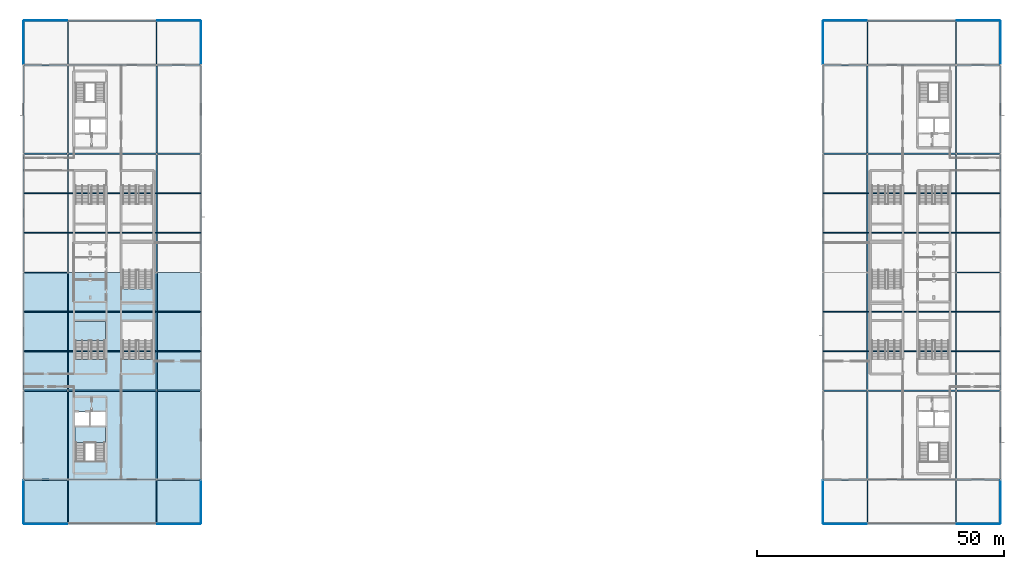
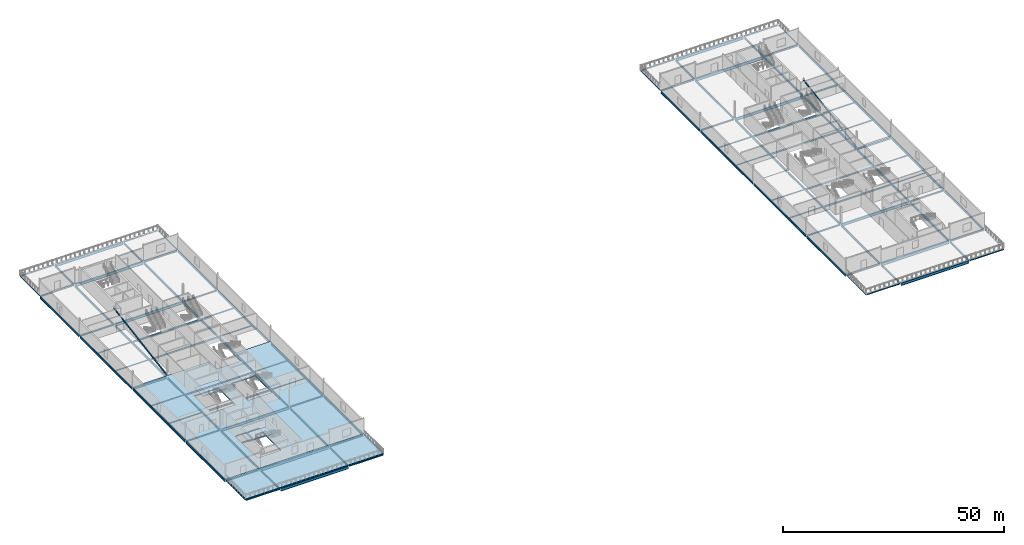
# One storey, part 9 of 28: 110 beams, 4 slabs, 2 members, 2 elements without a shape of their own.
"""IFC4 building model written with IfcOpenShell, lengths in metres."""

from ifc_helpers import new_model, si_unit, direction, frame, origin, origin_2d, place, context, subcontext, project, spatial, polyline, hollow_rectangle, i_section, outline, extrude, material, layer, layer_set, material_profile, profile_set, type_object, element, aggregate, save


model = new_model("IFC4")

# Units and contexts
model_context = context("Model", 3, precision=1e-05, world=origin(), true_north=direction((0.0, 1.0)))
body_context = subcontext(model_context, "Body", "Model", "MODEL_VIEW")
ifc_project = project(units=[si_unit("LENGTHUNIT", "METRE"), si_unit("AREAUNIT", "SQUARE_METRE"), si_unit("VOLUMEUNIT", "CUBIC_METRE"), si_unit("PLANEANGLEUNIT", "RADIAN"), si_unit("MASSUNIT", "GRAM", prefix="KILO")], contexts=[model_context])

# Site, building, storey
site_placement = place(None, origin())
site = spatial("IfcSite", under=ifc_project, at=site_placement, CompositionType="ELEMENT")
building_placement = place(site_placement, origin())
building = spatial("IfcBuilding", under=site, at=building_placement, Name="Kisiwana Market Hall", CompositionType="ELEMENT")
storey_placement = place(building_placement, frame((0.0, 0.0, 49.5)))
storey = spatial("IfcBuildingStorey", under=building, at=storey_placement, Name="L11", CompositionType="ELEMENT", Elevation=49.5)

# Beams
ifc_material_1 = material(Name="Steel S355", Category="steel")
ifc_material_profile_1 = material_profile(ifc_material_1, i_section(OverallWidth=0.300048828125, OverallDepth=0.360107421875, WebThickness=0.012451171875, FlangeThickness=0.0224609375, at=origin_2d()), Name="HEB 360")
ifc_profile_set_1 = profile_set([ifc_material_profile_1], Name="Steel S355")
beam_type_1 = type_object("IfcBeamType", Name="BM-GIRD-HEB360", PredefinedType="BEAM", material=ifc_profile_set_1)
for number, where, z_axis, x_axis, name in (
    (1, (0.14599609375, 18.0, -0.4599609375), (1.0, 0.0, 0.0), (0.0, 1.0, 0.0), "Floor beam B-2500"),
    (2, (27.149658203125, 18.0, -0.4599609375), (1.0, 0.0, 0.0), (0.0, 1.0, 0.0), "Floor beam B-2502"),
    (3, (162.14599609375, 18.0, -0.4599609375), (1.0, 0.0, 0.0), (0.0, 1.0, 0.0), "Floor beam B-2503"),
    (4, (189.149658203125, 18.0, -0.4599609375), (1.0, 0.0, 0.0), (0.0, 1.0, 0.0), "Floor beam B-2505"),
    (5, (0.14599609375, 36.0, -0.4599609375), (1.0, 0.0, 0.0), (0.0, 1.0, 0.0), "Floor beam B-2506"),
    (6, (27.149658203125, 36.0, -0.4599609375), (1.0, 0.0, 0.0), (0.0, 1.0, 0.0), "Floor beam B-2508"),
    (7, (162.14599609375, 36.0, -0.4599609375), (1.0, 0.0, 0.0), (0.0, 1.0, 0.0), "Floor beam B-2509"),
    (8, (189.149658203125, 36.0, -0.4599609375), (1.0, 0.0, 0.0), (0.0, 1.0, 0.0), "Floor beam B-2511"),
    (9, (0.14599609375, 84.0, -0.4599609375), (1.0, 0.0, 0.0), (0.0, 1.0, 0.0), "Floor beam B-2512"),
    (10, (27.149658203125, 84.0, -0.4599609375), (1.0, 0.0, 0.0), (0.0, 1.0, 0.0), "Floor beam B-2514"),
    (11, (162.14599609375, 84.0, -0.4599609375), (1.0, 0.0, 0.0), (0.0, 1.0, 0.0), "Floor beam B-2515"),
    (12, (189.149658203125, 84.0, -0.4599609375), (1.0, 0.0, 0.0), (0.0, 1.0, 0.0), "Floor beam B-2517"),
    (13, (0.14599609375, 102.0, -0.4599609375), (1.0, 0.0, 0.0), (0.0, 1.0, 0.0), "Floor beam B-2518"),
    (14, (27.149658203125, 102.0, -0.4599609375), (1.0, 0.0, 0.0), (0.0, 1.0, 0.0), "Floor beam B-2520"),
    (15, (162.14599609375, 102.0, -0.4599609375), (1.0, 0.0, 0.0), (0.0, 1.0, 0.0), "Floor beam B-2521"),
    (16, (189.149658203125, 102.0, -0.4599609375), (1.0, 0.0, 0.0), (0.0, 1.0, 0.0), "Floor beam B-2523"),
):
    element("IfcBeam", number, at=place(storey_placement, frame(where, z_axis=z_axis, x_axis=x_axis)), inside=storey, type_object=beam_type_1, Name=name, PredefinedType="BEAM", context=body_context, shape_type="SweptSolid", body=[
        extrude(i_section(OverallWidth=0.300048828125, OverallDepth=0.360107421875, WebThickness=0.012451171875, FlangeThickness=0.0224609375, at=origin_2d()), origin(), (0.0, 0.0, 1.0), 8.704345703125),
    ])
ifc_material_2 = material(Name="Steel S355", Category="steel")
ifc_material_profile_2 = material_profile(ifc_material_2, i_section(OverallWidth=0.209228515625, OverallDepth=0.533203125, WebThickness=0.010009765625, FlangeThickness=0.015625, at=origin_2d()), Name="UB 533x210x92")
ifc_profile_set_2 = profile_set([ifc_material_profile_2], Name="Steel S355")
beam_type_2 = type_object("IfcBeamType", Name="BM-GIRD-UB533", PredefinedType="BEAM", material=ifc_profile_set_2)
for number, where, z_axis, x_axis, name in (
    (17, (0.14599609375, 60.0, -0.546630859375), (1.0, 0.0, 0.0), (0.0, 1.0, 0.0), "Primary girder B-2444"),
    (18, (189.149658203125, 60.0, -0.546630859375), (1.0, 0.0, 0.0), (0.0, 1.0, 0.0), "Primary girder B-2445"),
):
    element("IfcBeam", number, at=place(storey_placement, frame(where, z_axis=z_axis, x_axis=x_axis)), inside=storey, type_object=beam_type_2, Name=name, PredefinedType="BEAM", context=body_context, shape_type="SweptSolid", body=[
        extrude(i_section(OverallWidth=0.209228515625, OverallDepth=0.533203125, WebThickness=0.010009765625, FlangeThickness=0.015625, at=origin_2d()), origin(), (0.0, 0.0, 1.0), 8.704345703125),
    ])
for number, where, z_axis, x_axis, name in (
    (19, (9.0, 9.1533203125, -0.524658203125), (0.0, 1.0, 0.0), (-1.0, 0.0, 0.0), "Primary girder B-2446"),
    (20, (9.0, 102.1533203125, -0.524658203125), (0.0, 1.0, 0.0), (-1.0, 0.0, 0.0), "Primary girder B-2451"),
    (21, (27.0, 9.1533203125, -0.524658203125), (0.0, 1.0, 0.0), (-1.0, 0.0, 0.0), "Primary girder B-2452"),
    (22, (27.0, 102.1533203125, -0.524658203125), (0.0, 1.0, 0.0), (-1.0, 0.0, 0.0), "Primary girder B-2455"),
    (23, (171.0, 9.1533203125, -0.524658203125), (0.0, 1.0, 0.0), (-1.0, 0.0, 0.0), "Primary girder B-2460"),
    (24, (171.0, 102.1533203125, -0.524658203125), (0.0, 1.0, 0.0), (-1.0, 0.0, 0.0), "Primary girder B-2463"),
    (25, (189.0, 9.1533203125, -0.524658203125), (0.0, 1.0, 0.0), (-1.0, 0.0, 0.0), "Primary girder B-2464"),
    (26, (189.0, 102.1533203125, -0.524658203125), (0.0, 1.0, 0.0), (-1.0, 0.0, 0.0), "Primary girder B-2469"),
):
    element("IfcBeam", number, at=place(storey_placement, frame(where, z_axis=z_axis, x_axis=x_axis)), inside=storey, type_object=beam_type_2, Name=name, PredefinedType="BEAM", context=body_context, shape_type="SweptSolid", body=[
        extrude(i_section(OverallWidth=0.209228515625, OverallDepth=0.533203125, WebThickness=0.010009765625, FlangeThickness=0.015625, at=origin_2d()), origin(), (0.0, 0.0, 1.0), 8.693359375),
    ])
ifc_material_3 = material(Name="Steel S355", Category="steel")
ifc_material_profile_3 = material_profile(ifc_material_3, i_section(OverallWidth=0.22900390625, OverallDepth=0.6123046875, WebThickness=0.011962890625, FlangeThickness=0.01953125, at=origin_2d()), Name="UB 610x229x125")
ifc_profile_set_3 = profile_set([ifc_material_profile_3], Name="Steel S355")
beam_type_3 = type_object("IfcBeamType", Name="BM-GIRD-UB610H", PredefinedType="BEAM", material=ifc_profile_set_3)
beam_1_placement = place(storey_placement, frame((0.0, 18.156005859375, -0.586181640625), z_axis=(0.0, 1.0, 0.0), x_axis=(-1.0, 0.0, 0.0)))
element("IfcBeam", 27, at=beam_1_placement, inside=storey, type_object=beam_type_3, Name="Floor beam B-2531", PredefinedType="BEAM", context=body_context, shape_type="SweptSolid", body=[
    extrude(i_section(OverallWidth=0.22900390625, OverallDepth=0.6123046875, WebThickness=0.011962890625, FlangeThickness=0.01953125, at=origin_2d()), origin(), (0.0, 0.0, 1.0), 17.68798828125),
])
for number, where, z_axis, x_axis, name in (
    (28, (0.0, 36.156005859375, -0.586181640625), (0.0, 1.0, 0.0), (-1.0, 0.0, 0.0), "Floor beam B-2532"),
    (29, (0.0, 60.156005859375, -0.586181640625), (0.0, 1.0, 0.0), (-1.0, 0.0, 0.0), "Floor beam B-2533"),
):
    element("IfcBeam", number, at=place(storey_placement, frame(where, z_axis=z_axis, x_axis=x_axis)), inside=storey, type_object=beam_type_3, Name=name, PredefinedType="BEAM", context=body_context, shape_type="SweptSolid", body=[
        extrude(i_section(OverallWidth=0.22900390625, OverallDepth=0.6123046875, WebThickness=0.011962890625, FlangeThickness=0.01953125, at=origin_2d()), origin(), (0.0, 0.0, 1.0), 23.68798828125),
    ])
beam_2_placement = place(storey_placement, frame((0.0, 84.156005859375, -0.586181640625), z_axis=(0.0, 1.0, 0.0), x_axis=(-1.0, 0.0, 0.0)))
element("IfcBeam", 30, at=beam_2_placement, inside=storey, type_object=beam_type_3, Name="Floor beam B-2534", PredefinedType="BEAM", context=body_context, shape_type="SweptSolid", body=[
    extrude(i_section(OverallWidth=0.22900390625, OverallDepth=0.6123046875, WebThickness=0.011962890625, FlangeThickness=0.01953125, at=origin_2d()), origin(), (0.0, 0.0, 1.0), 17.68798828125),
])
for number, where, z_axis, x_axis, name in (
    (31, (27.0, 36.1533203125, -0.586181640625), (0.0, 1.0, 0.0), (-1.0, 0.0, 0.0), "Floor beam B-2536"),
    (32, (27.0, 60.1533203125, -0.586181640625), (0.0, 1.0, 0.0), (-1.0, 0.0, 0.0), "Floor beam B-2537"),
):
    element("IfcBeam", number, at=place(storey_placement, frame(where, z_axis=z_axis, x_axis=x_axis)), inside=storey, type_object=beam_type_3, Name=name, PredefinedType="BEAM", context=body_context, shape_type="SweptSolid", body=[
        extrude(i_section(OverallWidth=0.22900390625, OverallDepth=0.6123046875, WebThickness=0.011962890625, FlangeThickness=0.01953125, at=origin_2d()), origin(), (0.0, 0.0, 1.0), 23.693359375),
    ])
for number, where, z_axis, x_axis, name in (
    (33, (36.0, 18.156005859375, -0.586181640625), (0.0, 1.0, 0.0), (-1.0, 0.0, 0.0), "Floor beam B-2539"),
    (34, (36.0, 84.156005859375, -0.586181640625), (0.0, 1.0, 0.0), (-1.0, 0.0, 0.0), "Floor beam B-2540"),
    (35, (162.0, 18.156005859375, -0.586181640625), (0.0, 1.0, 0.0), (-1.0, 0.0, 0.0), "Floor beam B-2543"),
    (36, (162.0, 84.156005859375, -0.586181640625), (0.0, 1.0, 0.0), (-1.0, 0.0, 0.0), "Floor beam B-2544"),
):
    element("IfcBeam", number, at=place(storey_placement, frame(where, z_axis=z_axis, x_axis=x_axis)), inside=storey, type_object=beam_type_3, Name=name, PredefinedType="BEAM", context=body_context, shape_type="SweptSolid", body=[
        extrude(i_section(OverallWidth=0.22900390625, OverallDepth=0.6123046875, WebThickness=0.011962890625, FlangeThickness=0.01953125, at=origin_2d()), origin(), (0.0, 0.0, 1.0), 17.68798828125),
    ])
for number, where, z_axis, x_axis, name in (
    (37, (171.0, 36.1533203125, -0.586181640625), (0.0, 1.0, 0.0), (-1.0, 0.0, 0.0), "Floor beam B-2546"),
    (38, (171.0, 60.1533203125, -0.586181640625), (0.0, 1.0, 0.0), (-1.0, 0.0, 0.0), "Floor beam B-2547"),
):
    element("IfcBeam", number, at=place(storey_placement, frame(where, z_axis=z_axis, x_axis=x_axis)), inside=storey, type_object=beam_type_3, Name=name, PredefinedType="BEAM", context=body_context, shape_type="SweptSolid", body=[
        extrude(i_section(OverallWidth=0.22900390625, OverallDepth=0.6123046875, WebThickness=0.011962890625, FlangeThickness=0.01953125, at=origin_2d()), origin(), (0.0, 0.0, 1.0), 23.693359375),
    ])
beam_3_placement = place(storey_placement, frame((198.0, 18.156005859375, -0.586181640625), z_axis=(0.0, 1.0, 0.0), x_axis=(-1.0, 0.0, 0.0)))
element("IfcBeam", 39, at=beam_3_placement, inside=storey, type_object=beam_type_3, Name="Floor beam B-2549", PredefinedType="BEAM", context=body_context, shape_type="SweptSolid", body=[
    extrude(i_section(OverallWidth=0.22900390625, OverallDepth=0.6123046875, WebThickness=0.011962890625, FlangeThickness=0.01953125, at=origin_2d()), origin(), (0.0, 0.0, 1.0), 17.68798828125),
])
for number, where, z_axis, x_axis, name in (
    (40, (198.0, 36.156005859375, -0.586181640625), (0.0, 1.0, 0.0), (-1.0, 0.0, 0.0), "Floor beam B-2550"),
    (41, (198.0, 60.156005859375, -0.586181640625), (0.0, 1.0, 0.0), (-1.0, 0.0, 0.0), "Floor beam B-2551"),
):
    element("IfcBeam", number, at=place(storey_placement, frame(where, z_axis=z_axis, x_axis=x_axis)), inside=storey, type_object=beam_type_3, Name=name, PredefinedType="BEAM", context=body_context, shape_type="SweptSolid", body=[
        extrude(i_section(OverallWidth=0.22900390625, OverallDepth=0.6123046875, WebThickness=0.011962890625, FlangeThickness=0.01953125, at=origin_2d()), origin(), (0.0, 0.0, 1.0), 23.68798828125),
    ])
beam_4_placement = place(storey_placement, frame((198.0, 84.156005859375, -0.586181640625), z_axis=(0.0, 1.0, 0.0), x_axis=(-1.0, 0.0, 0.0)))
element("IfcBeam", 42, at=beam_4_placement, inside=storey, type_object=beam_type_3, Name="Floor beam B-2552", PredefinedType="BEAM", context=body_context, shape_type="SweptSolid", body=[
    extrude(i_section(OverallWidth=0.22900390625, OverallDepth=0.6123046875, WebThickness=0.011962890625, FlangeThickness=0.01953125, at=origin_2d()), origin(), (0.0, 0.0, 1.0), 17.68798828125),
])
beam_5_placement = place(storey_placement, frame((9.0, 18.1533203125, -0.586181640625), z_axis=(0.0, 1.0, 0.0), x_axis=(-1.0, 0.0, 0.0)))
element("IfcBeam", 43, at=beam_5_placement, inside=storey, type_object=beam_type_3, Name="Primary girder B-2447", PredefinedType="BEAM", context=body_context, shape_type="SweptSolid", body=[
    extrude(i_section(OverallWidth=0.22900390625, OverallDepth=0.6123046875, WebThickness=0.011962890625, FlangeThickness=0.01953125, at=origin_2d()), origin(), (0.0, 0.0, 1.0), 17.693359375),
])
for number, where, z_axis, x_axis, name in (
    (44, (9.0, 36.1533203125, -0.586181640625), (0.0, 1.0, 0.0), (-1.0, 0.0, 0.0), "Primary girder B-2448"),
    (45, (9.0, 60.1533203125, -0.586181640625), (0.0, 1.0, 0.0), (-1.0, 0.0, 0.0), "Primary girder B-2449"),
):
    element("IfcBeam", number, at=place(storey_placement, frame(where, z_axis=z_axis, x_axis=x_axis)), inside=storey, type_object=beam_type_3, Name=name, PredefinedType="BEAM", context=body_context, shape_type="SweptSolid", body=[
        extrude(i_section(OverallWidth=0.22900390625, OverallDepth=0.6123046875, WebThickness=0.011962890625, FlangeThickness=0.01953125, at=origin_2d()), origin(), (0.0, 0.0, 1.0), 23.693359375),
    ])
for number, where, z_axis, x_axis, name in (
    (46, (9.0, 84.1533203125, -0.586181640625), (0.0, 1.0, 0.0), (-1.0, 0.0, 0.0), "Primary girder B-2450"),
    (47, (27.0, 18.1533203125, -0.586181640625), (0.0, 1.0, 0.0), (-1.0, 0.0, 0.0), "Primary girder B-2453"),
    (48, (27.0, 84.1533203125, -0.586181640625), (0.0, 1.0, 0.0), (-1.0, 0.0, 0.0), "Primary girder B-2454"),
):
    element("IfcBeam", number, at=place(storey_placement, frame(where, z_axis=z_axis, x_axis=x_axis)), inside=storey, type_object=beam_type_3, Name=name, PredefinedType="BEAM", context=body_context, shape_type="SweptSolid", body=[
        extrude(i_section(OverallWidth=0.22900390625, OverallDepth=0.6123046875, WebThickness=0.011962890625, FlangeThickness=0.01953125, at=origin_2d()), origin(), (0.0, 0.0, 1.0), 17.693359375),
    ])
for number, where, z_axis, x_axis, name in (
    (49, (36.0, 36.156005859375, -0.586181640625), (0.0, 1.0, 0.0), (-1.0, 0.0, 0.0), "Primary girder B-2456"),
    (50, (36.0, 60.156005859375, -0.586181640625), (0.0, 1.0, 0.0), (-1.0, 0.0, 0.0), "Primary girder B-2457"),
    (51, (162.0, 36.156005859375, -0.586181640625), (0.0, 1.0, 0.0), (-1.0, 0.0, 0.0), "Primary girder B-2458"),
    (52, (162.0, 60.156005859375, -0.586181640625), (0.0, 1.0, 0.0), (-1.0, 0.0, 0.0), "Primary girder B-2459"),
):
    element("IfcBeam", number, at=place(storey_placement, frame(where, z_axis=z_axis, x_axis=x_axis)), inside=storey, type_object=beam_type_3, Name=name, PredefinedType="BEAM", context=body_context, shape_type="SweptSolid", body=[
        extrude(i_section(OverallWidth=0.22900390625, OverallDepth=0.6123046875, WebThickness=0.011962890625, FlangeThickness=0.01953125, at=origin_2d()), origin(), (0.0, 0.0, 1.0), 23.68798828125),
    ])
for number, where, z_axis, x_axis, name in (
    (53, (171.0, 18.1533203125, -0.586181640625), (0.0, 1.0, 0.0), (-1.0, 0.0, 0.0), "Primary girder B-2461"),
    (54, (171.0, 84.1533203125, -0.586181640625), (0.0, 1.0, 0.0), (-1.0, 0.0, 0.0), "Primary girder B-2462"),
    (55, (189.0, 18.1533203125, -0.586181640625), (0.0, 1.0, 0.0), (-1.0, 0.0, 0.0), "Primary girder B-2465"),
):
    element("IfcBeam", number, at=place(storey_placement, frame(where, z_axis=z_axis, x_axis=x_axis)), inside=storey, type_object=beam_type_3, Name=name, PredefinedType="BEAM", context=body_context, shape_type="SweptSolid", body=[
        extrude(i_section(OverallWidth=0.22900390625, OverallDepth=0.6123046875, WebThickness=0.011962890625, FlangeThickness=0.01953125, at=origin_2d()), origin(), (0.0, 0.0, 1.0), 17.693359375),
    ])
for number, where, z_axis, x_axis, name in (
    (56, (189.0, 36.1533203125, -0.586181640625), (0.0, 1.0, 0.0), (-1.0, 0.0, 0.0), "Primary girder B-2466"),
    (57, (189.0, 60.1533203125, -0.586181640625), (0.0, 1.0, 0.0), (-1.0, 0.0, 0.0), "Primary girder B-2467"),
):
    element("IfcBeam", number, at=place(storey_placement, frame(where, z_axis=z_axis, x_axis=x_axis)), inside=storey, type_object=beam_type_3, Name=name, PredefinedType="BEAM", context=body_context, shape_type="SweptSolid", body=[
        extrude(i_section(OverallWidth=0.22900390625, OverallDepth=0.6123046875, WebThickness=0.011962890625, FlangeThickness=0.01953125, at=origin_2d()), origin(), (0.0, 0.0, 1.0), 23.693359375),
    ])
beam_6_placement = place(storey_placement, frame((189.0, 84.1533203125, -0.586181640625), z_axis=(0.0, 1.0, 0.0), x_axis=(-1.0, 0.0, 0.0)))
element("IfcBeam", 58, at=beam_6_placement, inside=storey, type_object=beam_type_3, Name="Primary girder B-2468", PredefinedType="BEAM", context=body_context, shape_type="SweptSolid", body=[
    extrude(i_section(OverallWidth=0.22900390625, OverallDepth=0.6123046875, WebThickness=0.011962890625, FlangeThickness=0.01953125, at=origin_2d()), origin(), (0.0, 0.0, 1.0), 17.693359375),
])
ifc_material_4 = material(Name="Steel S355", Category="steel")
ifc_material_profile_4 = material_profile(ifc_material_4, i_section(OverallWidth=0.2666015625, OverallDepth=0.76220703125, WebThickness=0.014404296875, FlangeThickness=0.021484375, at=origin_2d()), Name="UB 762x267x173")
ifc_profile_set_4 = profile_set([ifc_material_profile_4], Name="Steel S355")
beam_type_4 = type_object("IfcBeamType", Name="BM-GIRD-UB762", PredefinedType="BEAM", material=ifc_profile_set_4)
for number, where, z_axis, x_axis, name in (
    (59, (9.149658203125, 9.0, -0.63916015625), (1.0, 0.0, 0.0), (0.0, 1.0, 0.0), "Floor beam B-2495"),
    (60, (171.149658203125, 9.0, -0.63916015625), (1.0, 0.0, 0.0), (0.0, 1.0, 0.0), "Floor beam B-2498"),
    (61, (9.149658203125, 18.0, -0.6611328125), (1.0, 0.0, 0.0), (0.0, 1.0, 0.0), "Floor beam B-2501"),
    (62, (171.149658203125, 18.0, -0.6611328125), (1.0, 0.0, 0.0), (0.0, 1.0, 0.0), "Floor beam B-2504"),
    (63, (9.149658203125, 36.0, -0.6611328125), (1.0, 0.0, 0.0), (0.0, 1.0, 0.0), "Floor beam B-2507"),
    (64, (171.149658203125, 36.0, -0.6611328125), (1.0, 0.0, 0.0), (0.0, 1.0, 0.0), "Floor beam B-2510"),
    (65, (9.149658203125, 84.0, -0.6611328125), (1.0, 0.0, 0.0), (0.0, 1.0, 0.0), "Floor beam B-2513"),
    (66, (171.149658203125, 84.0, -0.6611328125), (1.0, 0.0, 0.0), (0.0, 1.0, 0.0), "Floor beam B-2516"),
    (67, (9.149658203125, 102.0, -0.6611328125), (1.0, 0.0, 0.0), (0.0, 1.0, 0.0), "Floor beam B-2519"),
    (68, (171.149658203125, 102.0, -0.6611328125), (1.0, 0.0, 0.0), (0.0, 1.0, 0.0), "Floor beam B-2522"),
    (69, (9.149658203125, 111.0, -0.63916015625), (1.0, 0.0, 0.0), (0.0, 1.0, 0.0), "Floor beam B-2525"),
    (70, (171.149658203125, 111.0, -0.63916015625), (1.0, 0.0, 0.0), (0.0, 1.0, 0.0), "Floor beam B-2528"),
):
    element("IfcBeam", number, at=place(storey_placement, frame(where, z_axis=z_axis, x_axis=x_axis)), inside=storey, type_object=beam_type_4, Name=name, PredefinedType="BEAM", context=body_context, shape_type="SweptSolid", body=[
        extrude(i_section(OverallWidth=0.2666015625, OverallDepth=0.76220703125, WebThickness=0.014404296875, FlangeThickness=0.021484375, at=origin_2d()), origin(), (0.0, 0.0, 1.0), 17.70068359375),
    ])
ifc_material_5 = material(Name="Steel S355", Category="steel")
ifc_material_profile_5 = material_profile(ifc_material_5, i_section(OverallWidth=0.165771484375, OverallDepth=0.306640625, WebThickness=0.006591796875, FlangeThickness=0.01171875, at=origin_2d()), Name="UB 305x165x46")
ifc_profile_set_5 = profile_set([ifc_material_profile_5], Name="Steel S355")
beam_type_5 = type_object("IfcBeamType", Name="BM-JOIST-UB305H", PredefinedType="JOIST", material=ifc_profile_set_5)
for number, where, z_axis, x_axis, name in (
    (71, (0.113525390625, 44.0, -0.433349609375), (1.0, 0.0, 0.0), (0.0, 1.0, 0.0), "Secondary floor joist B-2470"),
    (72, (27.113525390625, 44.0, -0.433349609375), (1.0, 0.0, 0.0), (0.0, 1.0, 0.0), "Secondary floor joist B-2472"),
    (73, (162.113525390625, 44.0, -0.433349609375), (1.0, 0.0, 0.0), (0.0, 1.0, 0.0), "Secondary floor joist B-2473"),
    (74, (189.113525390625, 44.0, -0.433349609375), (1.0, 0.0, 0.0), (0.0, 1.0, 0.0), "Secondary floor joist B-2475"),
    (75, (0.113525390625, 52.0, -0.433349609375), (1.0, 0.0, 0.0), (0.0, 1.0, 0.0), "Secondary floor joist B-2476"),
    (76, (27.113525390625, 52.0, -0.433349609375), (1.0, 0.0, 0.0), (0.0, 1.0, 0.0), "Secondary floor joist B-2478"),
    (77, (162.113525390625, 52.0, -0.433349609375), (1.0, 0.0, 0.0), (0.0, 1.0, 0.0), "Secondary floor joist B-2479"),
    (78, (189.113525390625, 52.0, -0.433349609375), (1.0, 0.0, 0.0), (0.0, 1.0, 0.0), "Secondary floor joist B-2481"),
    (79, (0.113525390625, 68.0, -0.433349609375), (1.0, 0.0, 0.0), (0.0, 1.0, 0.0), "Secondary floor joist B-2482"),
    (80, (27.113525390625, 68.0, -0.433349609375), (1.0, 0.0, 0.0), (0.0, 1.0, 0.0), "Secondary floor joist B-2484"),
    (81, (162.113525390625, 68.0, -0.433349609375), (1.0, 0.0, 0.0), (0.0, 1.0, 0.0), "Secondary floor joist B-2485"),
    (82, (189.113525390625, 68.0, -0.433349609375), (1.0, 0.0, 0.0), (0.0, 1.0, 0.0), "Secondary floor joist B-2487"),
    (83, (0.113525390625, 76.0, -0.433349609375), (1.0, 0.0, 0.0), (0.0, 1.0, 0.0), "Secondary floor joist B-2488"),
    (84, (27.113525390625, 76.0, -0.433349609375), (1.0, 0.0, 0.0), (0.0, 1.0, 0.0), "Secondary floor joist B-2490"),
    (85, (162.113525390625, 76.0, -0.433349609375), (1.0, 0.0, 0.0), (0.0, 1.0, 0.0), "Secondary floor joist B-2491"),
    (86, (189.113525390625, 76.0, -0.433349609375), (1.0, 0.0, 0.0), (0.0, 1.0, 0.0), "Secondary floor joist B-2493"),
):
    element("IfcBeam", number, at=place(storey_placement, frame(where, z_axis=z_axis, x_axis=x_axis)), inside=storey, type_object=beam_type_5, Name=name, PredefinedType="JOIST", context=body_context, shape_type="SweptSolid", body=[
        extrude(i_section(OverallWidth=0.165771484375, OverallDepth=0.306640625, WebThickness=0.006591796875, FlangeThickness=0.01171875, at=origin_2d()), origin(), (0.0, 0.0, 1.0), 8.77294921875),
    ])
ifc_material_6 = material(Name="Steel S355", Category="steel")
ifc_material_profile_6 = material_profile(ifc_material_6, i_section(OverallWidth=0.18994140625, OverallDepth=0.453369140625, WebThickness=0.008544921875, FlangeThickness=0.0126953125, at=origin_2d()), Name="UB 457x191x67")
ifc_profile_set_6 = profile_set([ifc_material_profile_6], Name="Steel S355")
beam_type_6 = type_object("IfcBeamType", Name="BM-JOIST-UB457", PredefinedType="JOIST", material=ifc_profile_set_6)
for number, where, z_axis, x_axis, name in (
    (87, (9.113525390625, 44.0, -0.506591796875), (1.0, 0.0, 0.0), (0.0, 1.0, 0.0), "Secondary floor joist B-2471"),
    (88, (171.113525390625, 44.0, -0.506591796875), (1.0, 0.0, 0.0), (0.0, 1.0, 0.0), "Secondary floor joist B-2474"),
    (89, (9.113525390625, 52.0, -0.506591796875), (1.0, 0.0, 0.0), (0.0, 1.0, 0.0), "Secondary floor joist B-2477"),
    (90, (171.113525390625, 52.0, -0.506591796875), (1.0, 0.0, 0.0), (0.0, 1.0, 0.0), "Secondary floor joist B-2480"),
    (91, (9.113525390625, 68.0, -0.506591796875), (1.0, 0.0, 0.0), (0.0, 1.0, 0.0), "Secondary floor joist B-2483"),
    (92, (171.113525390625, 68.0, -0.506591796875), (1.0, 0.0, 0.0), (0.0, 1.0, 0.0), "Secondary floor joist B-2486"),
    (93, (9.113525390625, 76.0, -0.506591796875), (1.0, 0.0, 0.0), (0.0, 1.0, 0.0), "Secondary floor joist B-2489"),
    (94, (171.113525390625, 76.0, -0.506591796875), (1.0, 0.0, 0.0), (0.0, 1.0, 0.0), "Secondary floor joist B-2492"),
):
    element("IfcBeam", number, at=place(storey_placement, frame(where, z_axis=z_axis, x_axis=x_axis)), inside=storey, type_object=beam_type_6, Name=name, PredefinedType="JOIST", context=body_context, shape_type="SweptSolid", body=[
        extrude(i_section(OverallWidth=0.18994140625, OverallDepth=0.453369140625, WebThickness=0.008544921875, FlangeThickness=0.0126953125, at=origin_2d()), origin(), (0.0, 0.0, 1.0), 17.77294921875),
    ])
ifc_material_7 = material(Name="Steel S355", Category="steel")
ifc_material_profile_7 = material_profile(ifc_material_7, hollow_rectangle(XDim=0.10009765625, YDim=0.199951171875, WallThickness=0.008056640625, at=origin_2d()), Name="RHS 200x100x8.0")
ifc_profile_set_7 = profile_set([ifc_material_profile_7], Name="Steel S355")
beam_type_7 = type_object("IfcBeamType", Name="BM-SPAN-RHS200", PredefinedType="SPANDREL", material=ifc_profile_set_7)
for number, where, z_axis, x_axis, name in (
    (95, (0.14599609375, 9.0, -0.35791015625), (1.0, 0.0, 0.0), (0.0, 1.0, 0.0), "Floor beam B-2494"),
    (96, (27.149658203125, 9.0, -0.35791015625), (1.0, 0.0, 0.0), (0.0, 1.0, 0.0), "Floor beam B-2496"),
    (97, (162.14599609375, 9.0, -0.35791015625), (1.0, 0.0, 0.0), (0.0, 1.0, 0.0), "Floor beam B-2497"),
    (98, (189.149658203125, 9.0, -0.35791015625), (1.0, 0.0, 0.0), (0.0, 1.0, 0.0), "Floor beam B-2499"),
    (99, (0.14599609375, 111.0, -0.35791015625), (1.0, 0.0, 0.0), (0.0, 1.0, 0.0), "Floor beam B-2524"),
    (100, (27.149658203125, 111.0, -0.35791015625), (1.0, 0.0, 0.0), (0.0, 1.0, 0.0), "Floor beam B-2526"),
    (101, (162.14599609375, 111.0, -0.35791015625), (1.0, 0.0, 0.0), (0.0, 1.0, 0.0), "Floor beam B-2527"),
    (102, (189.149658203125, 111.0, -0.35791015625), (1.0, 0.0, 0.0), (0.0, 1.0, 0.0), "Floor beam B-2529"),
):
    element("IfcBeam", number, at=place(storey_placement, frame(where, z_axis=z_axis, x_axis=x_axis)), inside=storey, type_object=beam_type_7, Name=name, PredefinedType="SPANDREL", context=body_context, shape_type="SweptSolid", body=[
        extrude(hollow_rectangle(XDim=0.10009765625, YDim=0.199951171875, WallThickness=0.008056640625, at=origin_2d()), origin(), (0.0, 0.0, 1.0), 8.704345703125),
    ])
for number, where, z_axis, x_axis, name in (
    (103, (0.0, 9.156005859375, -0.35791015625), (0.0, 1.0, 0.0), (-1.0, 0.0, 0.0), "Floor beam B-2530"),
    (104, (0.0, 102.156005859375, -0.35791015625), (0.0, 1.0, 0.0), (-1.0, 0.0, 0.0), "Floor beam B-2535"),
    (105, (36.0, 9.156005859375, -0.35791015625), (0.0, 1.0, 0.0), (-1.0, 0.0, 0.0), "Floor beam B-2538"),
    (106, (36.0, 102.156005859375, -0.35791015625), (0.0, 1.0, 0.0), (-1.0, 0.0, 0.0), "Floor beam B-2541"),
    (107, (162.0, 9.156005859375, -0.35791015625), (0.0, 1.0, 0.0), (-1.0, 0.0, 0.0), "Floor beam B-2542"),
    (108, (162.0, 102.156005859375, -0.35791015625), (0.0, 1.0, 0.0), (-1.0, 0.0, 0.0), "Floor beam B-2545"),
    (109, (198.0, 9.156005859375, -0.35791015625), (0.0, 1.0, 0.0), (-1.0, 0.0, 0.0), "Floor beam B-2548"),
    (110, (198.0, 102.156005859375, -0.35791015625), (0.0, 1.0, 0.0), (-1.0, 0.0, 0.0), "Floor beam B-2553"),
):
    element("IfcBeam", number, at=place(storey_placement, frame(where, z_axis=z_axis, x_axis=x_axis)), inside=storey, type_object=beam_type_7, Name=name, PredefinedType="SPANDREL", context=body_context, shape_type="SweptSolid", body=[
        extrude(hollow_rectangle(XDim=0.10009765625, YDim=0.199951171875, WallThickness=0.008056640625, at=origin_2d()), origin(), (0.0, 0.0, 1.0), 8.68798828125),
    ])

# Members
ifc_material_8 = material(Name="Steel S355", Category="steel")
ifc_material_profile_8 = material_profile(ifc_material_8, hollow_rectangle(XDim=0.25, YDim=0.25, WallThickness=0.012451171875, at=origin_2d()), Name="SHS 250x250x12.5")
ifc_profile_set_8 = profile_set([ifc_material_profile_8], Name="Steel S355")
member_type = type_object("IfcMemberType", Name="MB-CBF-SHS250", PredefinedType="BRACE", material=ifc_profile_set_8)
for number, where, z_axis, x_axis, name in (
    (111, (9.0, 60.0, 0.0), (0.0, 0.986691773887, 0.162601793792), (-1.0, 0.0, 0.0), "CBF-W-S diagonal brace (L11) M-0041"),
    (112, (189.0, 60.0, 0.0), (0.0, 0.986691773887, 0.162601793792), (-1.0, 0.0, 0.0), "CBF-E-S diagonal brace (L11) M-0042"),
):
    element("IfcMember", number, at=place(storey_placement, frame(where, z_axis=z_axis, x_axis=x_axis)), inside=storey, type_object=member_type, Name=name, PredefinedType="BRACE", context=body_context, shape_type="SweptSolid", body=[
        extrude(hollow_rectangle(XDim=0.25, YDim=0.25, WallThickness=0.012451171875, at=origin_2d()), origin(), (0.0, 0.0, 1.0), 24.32373046875),
    ])

# Stair, slab
ifc_material_9 = material(Name="Concrete C32/40", Category="concrete")
stair_type_1 = type_object("IfcStairType", Name="ST-TWR-4500", PredefinedType="TWO_STRAIGHT_RUN_STAIR", material=ifc_material_9)
stair_1_placement = place(storey_placement, origin())
stair_1 = element("IfcStair", 113, at=stair_1_placement, inside=storey, type_object=stair_type_1, Name="Escape stair ST-W2-L11", PredefinedType="TWO_STRAIGHT_RUN_STAIR")
ifc_material_10 = material(Name="Concrete C32/40", Category="concrete")
ifc_layer_1 = layer(ifc_material_10, 0.239990234375)
ifc_layer_set_1 = layer_set([ifc_layer_1], Name="SL-LANDING-160")
slab_type_1 = type_object("IfcSlabType", Name="SL-LANDING-160", PredefinedType="LANDING", material=ifc_layer_set_1)
slab_1_placement = place(storey_placement, frame((0.0, 0.0, 2.010009765625)))
slab_1 = element("IfcSlab", 114, at=slab_1_placement, type_object=slab_type_1, Name="ST-W2-L11 landing 1 S-392", PredefinedType="LANDING", context=body_context, shape_type="SweptSolid", body=[
    extrude(outline(polyline([(10.405029296875, 25.509033203125), (16.594970703125, 25.509033203125), (16.594970703125, 28.64501953125), (10.405029296875, 28.64501953125), (10.405029296875, 25.509033203125)])), origin(), (0.0, 0.0, 1.0), 0.239990234375),
])
aggregate(stair_1, [slab_1])

ifc_material_11 = material(Name="Concrete C32/40", Category="concrete")
stair_type_2 = type_object("IfcStairType", Name="ST-ESC-4500", PredefinedType="TWO_STRAIGHT_RUN_STAIR", material=ifc_material_11)
stair_2_placement = place(storey_placement, origin())
stair_2 = element("IfcStair", 115, at=stair_2_placement, inside=storey, type_object=stair_type_2, Name="Escape stair ST-W3-L11", PredefinedType="TWO_STRAIGHT_RUN_STAIR")
slab_2_placement = place(storey_placement, frame((0.0, 0.0, 2.010009765625)))
slab_2 = element("IfcSlab", 116, at=slab_2_placement, type_object=slab_type_1, Name="ST-W3-L11 landing 1 S-393", PredefinedType="LANDING", context=body_context, shape_type="SweptSolid", body=[
    extrude(outline(polyline([(10.340087890625, 46.194580078125), (16.659912109375, 46.194580078125), (16.659912109375, 50.06005859375), (10.340087890625, 50.06005859375), (10.340087890625, 46.194580078125)])), origin(), (0.0, 0.0, 1.0), 0.239990234375),
])
aggregate(stair_2, [slab_2])

# Slabs
ifc_material_12 = material(Name="Concrete C32/40", Category="concrete")
ifc_layer_2 = layer(ifc_material_12, 0.280029296875)
ifc_layer_set_2 = layer_set([ifc_layer_2], Name="SL-PLANT-280")
slab_type_2 = type_object("IfcSlabType", Name="SL-PLANT-280", PredefinedType="FLOOR", material=ifc_layer_set_2)
slab_3_placement = place(storey_placement, frame((0.0, 0.0, -0.280029296875)))
element("IfcSlab", 117, at=slab_3_placement, inside=storey, type_object=slab_type_2, Name="Structural slab S-380", PredefinedType="FLOOR", context=body_context, shape_type="SweptSolid", body=[
    extrude(outline(polyline([(0.0, 18.0), (36.0, 18.0), (36.0, 60.0), (26.239990234375, 60.0), (26.239990234375, 56.659912109375), (19.9599609375, 56.659912109375), (19.9599609375, 60.0), (0.0, 60.0), (0.0, 18.0)]), holes=[polyline([(10.425048828125, 21.675048828125), (16.574951171875, 21.675048828125), (16.574951171875, 28.625), (10.425048828125, 28.625), (10.425048828125, 21.675048828125)]), polyline([(10.425048828125, 28.945068359375), (13.340087890625, 28.945068359375), (13.340087890625, 31.675048828125), (10.425048828125, 31.675048828125), (10.425048828125, 28.945068359375)]), polyline([(13.659912109375, 28.945068359375), (16.574951171875, 28.945068359375), (16.574951171875, 31.675048828125), (13.659912109375, 31.675048828125), (13.659912109375, 28.945068359375)]), polyline([(10.360107421875, 42.3798828125), (16.639892578125, 42.3798828125), (16.639892578125, 50.0400390625), (10.360107421875, 50.0400390625), (10.360107421875, 42.3798828125)]), polyline([(19.9599609375, 42.3798828125), (26.239990234375, 42.3798828125), (26.239990234375, 50.0400390625), (19.9599609375, 50.0400390625), (19.9599609375, 42.3798828125)])]), origin(), (0.0, 0.0, 1.0), 0.280029296875),
])
ifc_material_13 = material(Name="Concrete C32/40", Category="concrete")
ifc_layer_3 = layer(ifc_material_13, 0.258056640625)
ifc_layer_set_3 = layer_set([ifc_layer_3], Name="SL-TERR-240")
slab_type_3 = type_object("IfcSlabType", Name="SL-TERR-240", PredefinedType="FLOOR", material=ifc_layer_set_3)
slab_4_placement = place(storey_placement, frame((0.0, 0.0, -0.258056640625)))
element("IfcSlab", 118, at=slab_4_placement, inside=storey, type_object=slab_type_3, Name="Exterior terrace slab S-401", PredefinedType="FLOOR", context=body_context, shape_type="SweptSolid", body=[
    extrude(outline(polyline([(0.0, 9.0), (36.0, 9.0), (36.0, 18.0), (0.0, 18.0), (0.0, 9.0)])), origin(), (0.0, 0.0, 1.0), 0.258056640625),
])

save(model, "model.ifc")
